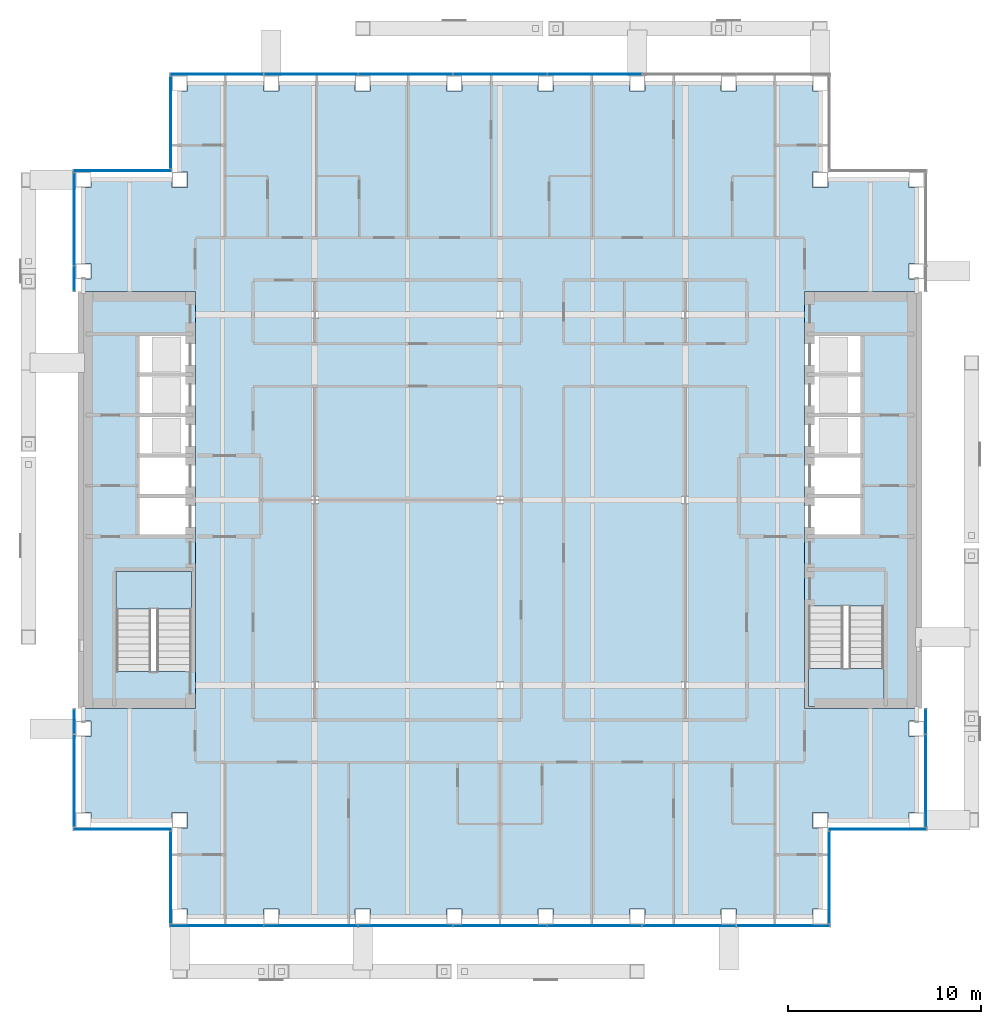
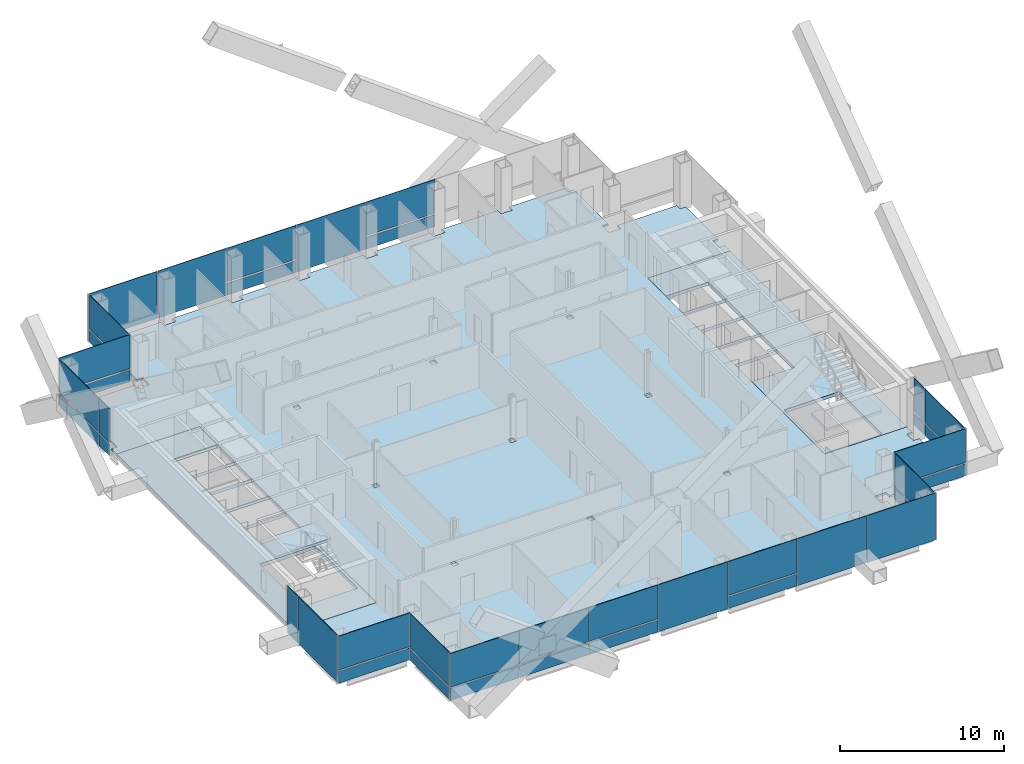
# One storey, part 11 of 18: 40 plates, 5 slabs, 13 elements without a shape of their own.
"""IFC4 building model written with IfcOpenShell, lengths in metres."""

from ifc_helpers import new_model, si_unit, direction, frame, origin, origin_2d, place, context, subcontext, project, spatial, polyline, rectangle, outline, extrude, material, layer, layer_set, type_object, element, aggregate, save


model = new_model("IFC4")

# Units and contexts
model_context = context("Model", 3, precision=1e-05, world=origin(), true_north=direction((0.0, 1.0)))
body_context = subcontext(model_context, "Body", "Model", "MODEL_VIEW")
ifc_project = project(units=[si_unit("LENGTHUNIT", "METRE"), si_unit("AREAUNIT", "SQUARE_METRE"), si_unit("VOLUMEUNIT", "CUBIC_METRE"), si_unit("PLANEANGLEUNIT", "RADIAN"), si_unit("MASSUNIT", "GRAM", prefix="KILO")], contexts=[model_context])

# Site, building, storey
site_placement = place(None, origin())
site = spatial("IfcSite", under=ifc_project, at=site_placement, CompositionType="ELEMENT")
building_placement = place(site_placement, origin())
building = spatial("IfcBuilding", under=site, at=building_placement, Name="Cobrizo Arcos Hotel Tower", CompositionType="ELEMENT")
storey_placement = place(building_placement, frame((0.0, 0.0, 165.5)))
storey = spatial("IfcBuildingStorey", under=building, at=storey_placement, Name="L42", CompositionType="ELEMENT", Elevation=165.5)

# Curtain wall, plates
ifc_material_1 = material(Name="Aluminium 6063-T6 anodised bronze", Category="aluminium")
curtain_wall_type = type_object("IfcCurtainWallType", Name="CW-A guest facade", PredefinedType="NOTDEFINED", material=ifc_material_1)
curtain_wall_1_placement = place(storey_placement, origin())
curtain_wall_1 = element("IfcCurtainWall", 1, at=curtain_wall_1_placement, inside=storey, type_object=curtain_wall_type, Name="CW-A L42 S face", PredefinedType="NOTDEFINED")
ifc_material_2 = material(Name="Glass clear laminated low-e", Category="glass")
ifc_layer_1 = layer(ifc_material_2, 0.0400390625)
ifc_layer_set_1 = layer_set([ifc_layer_1], Name="CW-A glass panel")
plate_type_1 = type_object("IfcPlateType", Name="CW-A glass panel", PredefinedType="CURTAIN_PANEL", material=ifc_layer_set_1)
plate_1_placement = place(storey_placement, frame((-14.68505859375, -22.074951171875, 0.990234375), z_axis=(0.0, 0.0, 1.0), x_axis=(1.0, 0.0, 0.0)))
plate_1 = element("IfcPlate", 2, at=plate_1_placement, type_object=plate_type_1, Name="CW-A glass panel 1486", PredefinedType="CURTAIN_PANEL", context=body_context, shape_type="SweptSolid", body=[
    extrude(rectangle(XDim=4.81005859375, YDim=0.0400390625, at=origin_2d()), origin(), (0.0, 0.0, 1.0), 2.510009765625),
])
plate_2_placement = place(storey_placement, frame((-9.800048828125, -22.074951171875, 0.990234375), z_axis=(0.0, 0.0, 1.0), x_axis=(1.0, 0.0, 0.0)))
plate_2 = element("IfcPlate", 3, at=plate_2_placement, type_object=plate_type_1, Name="CW-A glass panel 1487", PredefinedType="CURTAIN_PANEL", context=body_context, shape_type="SweptSolid", body=[
    extrude(rectangle(XDim=4.840087890625, YDim=0.0400390625, at=origin_2d()), origin(), (0.0, 0.0, 1.0), 2.510009765625),
])
plate_3_placement = place(storey_placement, frame((-4.89990234375, -22.074951171875, 0.990234375), z_axis=(0.0, 0.0, 1.0), x_axis=(1.0, 0.0, 0.0)))
plate_3 = element("IfcPlate", 4, at=plate_3_placement, type_object=plate_type_1, Name="CW-A glass panel 1488", PredefinedType="CURTAIN_PANEL", context=body_context, shape_type="SweptSolid", body=[
    extrude(rectangle(XDim=4.840087890625, YDim=0.0400390625, at=origin_2d()), origin(), (0.0, 0.0, 1.0), 2.510009765625),
])
plate_4_placement = place(storey_placement, frame((4.89990234375, -22.074951171875, 0.990234375), z_axis=(0.0, 0.0, 1.0), x_axis=(1.0, 0.0, 0.0)))
plate_4 = element("IfcPlate", 5, at=plate_4_placement, type_object=plate_type_1, Name="CW-A glass panel 1490", PredefinedType="CURTAIN_PANEL", context=body_context, shape_type="SweptSolid", body=[
    extrude(rectangle(XDim=4.840087890625, YDim=0.0400390625, at=origin_2d()), origin(), (0.0, 0.0, 1.0), 2.510009765625),
])

# Curtain wall, plate
curtain_wall_2_placement = place(storey_placement, origin())
curtain_wall_2 = element("IfcCurtainWall", 6, at=curtain_wall_2_placement, inside=storey, type_object=curtain_wall_type, Name="CW-A L42 E face", PredefinedType="NOTDEFINED")
plate_5_placement = place(storey_placement, frame((17.074951171875, -19.574951171875, 0.990234375), z_axis=(0.0, 0.0, 1.0), x_axis=(0.0, 1.0, 0.0)))
plate_5 = element("IfcPlate", 7, at=plate_5_placement, type_object=plate_type_1, Name="CW-A glass panel 1493", PredefinedType="CURTAIN_PANEL", context=body_context, shape_type="SweptSolid", body=[
    extrude(rectangle(XDim=4.72998046875, YDim=0.0400390625, at=origin_2d()), origin(), (0.0, 0.0, 1.0), 2.510009765625),
])

curtain_wall_3_placement = place(storey_placement, origin())
curtain_wall_3 = element("IfcCurtainWall", 8, at=curtain_wall_3_placement, inside=storey, type_object=curtain_wall_type, Name="CW-A L42 S face", PredefinedType="NOTDEFINED")
plate_6_placement = place(storey_placement, frame((19.574951171875, -17.074951171875, 0.990234375), z_axis=(0.0, 0.0, 1.0), x_axis=(1.0, 0.0, 0.0)))
plate_6 = element("IfcPlate", 9, at=plate_6_placement, type_object=plate_type_1, Name="CW-A glass panel 1494", PredefinedType="CURTAIN_PANEL", context=body_context, shape_type="SweptSolid", body=[
    extrude(rectangle(XDim=5.030029296875, YDim=0.0400390625, at=origin_2d()), origin(), (0.0, 0.0, 1.0), 2.510009765625),
])

# Curtain wall, plates
curtain_wall_4_placement = place(storey_placement, origin())
curtain_wall_4 = element("IfcCurtainWall", 10, at=curtain_wall_4_placement, inside=storey, type_object=curtain_wall_type, Name="CW-A L42 E face", PredefinedType="NOTDEFINED")
plate_7_placement = place(storey_placement, frame((22.074951171875, -14.556396484375, 0.990234375), z_axis=(0.0, 0.0, 1.0), x_axis=(0.0, 1.0, 0.0)))
plate_7 = element("IfcPlate", 11, at=plate_7_placement, type_object=plate_type_1, Name="CW-A glass panel 1495", PredefinedType="CURTAIN_PANEL", context=body_context, shape_type="SweptSolid", body=[
    extrude(rectangle(XDim=4.76708984375, YDim=0.0400390625, at=origin_2d()), origin(), (0.0, 0.0, 1.0), 2.510009765625),
])
plate_8_placement = place(storey_placement, frame((22.074951171875, -11.486328125, 0.990234375), z_axis=(0.0, 0.0, 1.0), x_axis=(0.0, 1.0, 0.0)))
plate_8 = element("IfcPlate", 12, at=plate_8_placement, type_object=plate_type_1, Name="CW-A glass panel 1496", PredefinedType="CURTAIN_PANEL", context=body_context, shape_type="SweptSolid", body=[
    extrude(rectangle(XDim=1.2529296875, YDim=0.0400390625, at=origin_2d()), origin(), (0.0, 0.0, 1.0), 2.510009765625),
])

curtain_wall_5_placement = place(storey_placement, origin())
curtain_wall_5 = element("IfcCurtainWall", 13, at=curtain_wall_5_placement, inside=storey, type_object=curtain_wall_type, Name="CW-A L42 N face", PredefinedType="NOTDEFINED")
plate_9_placement = place(storey_placement, frame((4.89990234375, 22.074951171875, 0.990234375), z_axis=(0.0, 0.0, 1.0), x_axis=(-1.0, 0.0, 0.0)))
plate_9 = element("IfcPlate", 14, at=plate_9_placement, type_object=plate_type_1, Name="CW-A glass panel 1503", PredefinedType="CURTAIN_PANEL", context=body_context, shape_type="SweptSolid", body=[
    extrude(rectangle(XDim=4.840087890625, YDim=0.0400390625, at=origin_2d()), origin(), (0.0, 0.0, 1.0), 2.510009765625),
])
plate_10_placement = place(storey_placement, frame((-4.89990234375, 22.074951171875, 0.990234375), z_axis=(0.0, 0.0, 1.0), x_axis=(-1.0, 0.0, 0.0)))
plate_10 = element("IfcPlate", 15, at=plate_10_placement, type_object=plate_type_1, Name="CW-A glass panel 1505", PredefinedType="CURTAIN_PANEL", context=body_context, shape_type="SweptSolid", body=[
    extrude(rectangle(XDim=4.840087890625, YDim=0.0400390625, at=origin_2d()), origin(), (0.0, 0.0, 1.0), 2.510009765625),
])

# Curtain wall, plate
curtain_wall_6_placement = place(storey_placement, origin())
curtain_wall_6 = element("IfcCurtainWall", 16, at=curtain_wall_6_placement, inside=storey, type_object=curtain_wall_type, Name="CW-A L42 W face", PredefinedType="NOTDEFINED")
plate_11_placement = place(storey_placement, frame((-17.074951171875, 19.574951171875, 0.990234375), z_axis=(0.0, 0.0, 1.0), x_axis=(0.0, -1.0, 0.0)))
plate_11 = element("IfcPlate", 17, at=plate_11_placement, type_object=plate_type_1, Name="CW-A glass panel 1508", PredefinedType="CURTAIN_PANEL", context=body_context, shape_type="SweptSolid", body=[
    extrude(rectangle(XDim=4.72998046875, YDim=0.0400390625, at=origin_2d()), origin(), (0.0, 0.0, 1.0), 2.510009765625),
])

curtain_wall_7_placement = place(storey_placement, origin())
curtain_wall_7 = element("IfcCurtainWall", 18, at=curtain_wall_7_placement, inside=storey, type_object=curtain_wall_type, Name="CW-A L42 N face", PredefinedType="NOTDEFINED")
plate_12_placement = place(storey_placement, frame((-19.574951171875, 17.074951171875, 0.990234375), z_axis=(0.0, 0.0, 1.0), x_axis=(-1.0, 0.0, 0.0)))
plate_12 = element("IfcPlate", 19, at=plate_12_placement, type_object=plate_type_1, Name="CW-A glass panel 1509", PredefinedType="CURTAIN_PANEL", context=body_context, shape_type="SweptSolid", body=[
    extrude(rectangle(XDim=5.030029296875, YDim=0.0400390625, at=origin_2d()), origin(), (0.0, 0.0, 1.0), 2.510009765625),
])

# Curtain wall, plates
curtain_wall_8_placement = place(storey_placement, origin())
curtain_wall_8 = element("IfcCurtainWall", 20, at=curtain_wall_8_placement, inside=storey, type_object=curtain_wall_type, Name="CW-A L42 W face", PredefinedType="NOTDEFINED")
plate_13_placement = place(storey_placement, frame((-22.074951171875, 14.556396484375, 0.990234375), z_axis=(0.0, 0.0, 1.0), x_axis=(0.0, -1.0, 0.0)))
plate_13 = element("IfcPlate", 21, at=plate_13_placement, type_object=plate_type_1, Name="CW-A glass panel 1510", PredefinedType="CURTAIN_PANEL", context=body_context, shape_type="SweptSolid", body=[
    extrude(rectangle(XDim=4.76708984375, YDim=0.0400390625, at=origin_2d()), origin(), (0.0, 0.0, 1.0), 2.510009765625),
])
plate_14_placement = place(storey_placement, frame((-22.074951171875, 11.486328125, 0.990234375), z_axis=(0.0, 0.0, 1.0), x_axis=(0.0, -1.0, 0.0)))
plate_14 = element("IfcPlate", 22, at=plate_14_placement, type_object=plate_type_1, Name="CW-A glass panel 1511", PredefinedType="CURTAIN_PANEL", context=body_context, shape_type="SweptSolid", body=[
    extrude(rectangle(XDim=1.2529296875, YDim=0.0400390625, at=origin_2d()), origin(), (0.0, 0.0, 1.0), 2.510009765625),
])

# Curtain wall, plate
curtain_wall_9_placement = place(storey_placement, origin())
curtain_wall_9 = element("IfcCurtainWall", 23, at=curtain_wall_9_placement, inside=storey, type_object=curtain_wall_type, Name="CW-A L42 S face", PredefinedType="NOTDEFINED")
plate_15_placement = place(storey_placement, frame((-19.574951171875, -17.074951171875, 0.990234375), z_axis=(0.0, 0.0, 1.0), x_axis=(1.0, 0.0, 0.0)))
plate_15 = element("IfcPlate", 24, at=plate_15_placement, type_object=plate_type_1, Name="CW-A glass panel 1514", PredefinedType="CURTAIN_PANEL", context=body_context, shape_type="SweptSolid", body=[
    extrude(rectangle(XDim=5.030029296875, YDim=0.0400390625, at=origin_2d()), origin(), (0.0, 0.0, 1.0), 2.510009765625),
])

curtain_wall_10_placement = place(storey_placement, origin())
curtain_wall_10 = element("IfcCurtainWall", 25, at=curtain_wall_10_placement, inside=storey, type_object=curtain_wall_type, Name="CW-A L42 W face", PredefinedType="NOTDEFINED")
plate_16_placement = place(storey_placement, frame((-17.074951171875, -19.574951171875, 0.990234375), z_axis=(0.0, 0.0, 1.0), x_axis=(0.0, -1.0, 0.0)))
plate_16 = element("IfcPlate", 26, at=plate_16_placement, type_object=plate_type_1, Name="CW-A glass panel 1515", PredefinedType="CURTAIN_PANEL", context=body_context, shape_type="SweptSolid", body=[
    extrude(rectangle(XDim=4.72998046875, YDim=0.0400390625, at=origin_2d()), origin(), (0.0, 0.0, 1.0), 2.510009765625),
])

# Plate
ifc_material_3 = material(Name="Aluminium composite panel pale metal", Category="aluminium")
ifc_layer_2 = layer(ifc_material_3, 0.0400390625)
ifc_layer_set_2 = layer_set([ifc_layer_2], Name="CW-A spandrel panel")
plate_type_2 = type_object("IfcPlateType", Name="CW-A spandrel panel", PredefinedType="CURTAIN_PANEL", material=ifc_layer_set_2)
plate_17_placement = place(storey_placement, frame((-14.68505859375, -22.074951171875, 0.0), z_axis=(0.0, 0.0, 1.0), x_axis=(1.0, 0.0, 0.0)))
plate_17 = element("IfcPlate", 27, at=plate_17_placement, type_object=plate_type_2, Name="CW-A spandrel panel 1486", PredefinedType="CURTAIN_PANEL", context=body_context, shape_type="SweptSolid", body=[
    extrude(rectangle(XDim=4.81005859375, YDim=0.0400390625, at=origin_2d()), origin(), (0.0, 0.0, 1.0), 0.8701171875),
])

plate_18_placement = place(storey_placement, frame((-9.800048828125, -22.074951171875, 0.0), z_axis=(0.0, 0.0, 1.0), x_axis=(1.0, 0.0, 0.0)))
plate_18 = element("IfcPlate", 28, at=plate_18_placement, type_object=plate_type_2, Name="CW-A spandrel panel 1487", PredefinedType="CURTAIN_PANEL", context=body_context, shape_type="SweptSolid", body=[
    extrude(rectangle(XDim=4.840087890625, YDim=0.0400390625, at=origin_2d()), origin(), (0.0, 0.0, 1.0), 0.8701171875),
])

plate_19_placement = place(storey_placement, frame((-4.89990234375, -22.074951171875, 0.0), z_axis=(0.0, 0.0, 1.0), x_axis=(1.0, 0.0, 0.0)))
plate_19 = element("IfcPlate", 29, at=plate_19_placement, type_object=plate_type_2, Name="CW-A spandrel panel 1488", PredefinedType="CURTAIN_PANEL", context=body_context, shape_type="SweptSolid", body=[
    extrude(rectangle(XDim=4.840087890625, YDim=0.0400390625, at=origin_2d()), origin(), (0.0, 0.0, 1.0), 0.8701171875),
])

plate_20_placement = place(storey_placement, frame((0.0, -22.074951171875, 0.0), z_axis=(0.0, 0.0, 1.0), x_axis=(1.0, 0.0, 0.0)))
plate_20 = element("IfcPlate", 30, at=plate_20_placement, type_object=plate_type_2, Name="CW-A spandrel panel 1489", PredefinedType="CURTAIN_PANEL", context=body_context, shape_type="SweptSolid", body=[
    extrude(rectangle(XDim=4.840087890625, YDim=0.0400390625, at=origin_2d()), origin(), (0.0, 0.0, 1.0), 3.5),
])

plate_21_placement = place(storey_placement, frame((4.89990234375, -22.074951171875, 0.0), z_axis=(0.0, 0.0, 1.0), x_axis=(1.0, 0.0, 0.0)))
plate_21 = element("IfcPlate", 31, at=plate_21_placement, type_object=plate_type_2, Name="CW-A spandrel panel 1490", PredefinedType="CURTAIN_PANEL", context=body_context, shape_type="SweptSolid", body=[
    extrude(rectangle(XDim=4.840087890625, YDim=0.0400390625, at=origin_2d()), origin(), (0.0, 0.0, 1.0), 0.8701171875),
])

plate_22_placement = place(storey_placement, frame((9.800048828125, -22.074951171875, 0.0), z_axis=(0.0, 0.0, 1.0), x_axis=(1.0, 0.0, 0.0)))
plate_22 = element("IfcPlate", 32, at=plate_22_placement, type_object=plate_type_2, Name="CW-A spandrel panel 1491", PredefinedType="CURTAIN_PANEL", context=body_context, shape_type="SweptSolid", body=[
    extrude(rectangle(XDim=4.840087890625, YDim=0.0400390625, at=origin_2d()), origin(), (0.0, 0.0, 1.0), 3.5),
])

plate_23_placement = place(storey_placement, frame((14.68505859375, -22.074951171875, 0.0), z_axis=(0.0, 0.0, 1.0), x_axis=(1.0, 0.0, 0.0)))
plate_23 = element("IfcPlate", 33, at=plate_23_placement, type_object=plate_type_2, Name="CW-A spandrel panel 1492", PredefinedType="CURTAIN_PANEL", context=body_context, shape_type="SweptSolid", body=[
    extrude(rectangle(XDim=4.81005859375, YDim=0.0400390625, at=origin_2d()), origin(), (0.0, 0.0, 1.0), 3.5),
])

aggregate(curtain_wall_1, [plate_17, plate_1, plate_18, plate_2, plate_19, plate_3, plate_20, plate_21, plate_4, plate_22, plate_23])

plate_24_placement = place(storey_placement, frame((17.074951171875, -19.574951171875, 0.0), z_axis=(0.0, 0.0, 1.0), x_axis=(0.0, 1.0, 0.0)))
plate_24 = element("IfcPlate", 34, at=plate_24_placement, type_object=plate_type_2, Name="CW-A spandrel panel 1493", PredefinedType="CURTAIN_PANEL", context=body_context, shape_type="SweptSolid", body=[
    extrude(rectangle(XDim=4.72998046875, YDim=0.0400390625, at=origin_2d()), origin(), (0.0, 0.0, 1.0), 0.8701171875),
])

aggregate(curtain_wall_2, [plate_24, plate_5])

plate_25_placement = place(storey_placement, frame((19.574951171875, -17.074951171875, 0.0), z_axis=(0.0, 0.0, 1.0), x_axis=(1.0, 0.0, 0.0)))
plate_25 = element("IfcPlate", 35, at=plate_25_placement, type_object=plate_type_2, Name="CW-A spandrel panel 1494", PredefinedType="CURTAIN_PANEL", context=body_context, shape_type="SweptSolid", body=[
    extrude(rectangle(XDim=5.030029296875, YDim=0.0400390625, at=origin_2d()), origin(), (0.0, 0.0, 1.0), 0.8701171875),
])

aggregate(curtain_wall_3, [plate_25, plate_6])

plate_26_placement = place(storey_placement, frame((22.074951171875, -14.556396484375, 0.0), z_axis=(0.0, 0.0, 1.0), x_axis=(0.0, 1.0, 0.0)))
plate_26 = element("IfcPlate", 36, at=plate_26_placement, type_object=plate_type_2, Name="CW-A spandrel panel 1495", PredefinedType="CURTAIN_PANEL", context=body_context, shape_type="SweptSolid", body=[
    extrude(rectangle(XDim=4.76708984375, YDim=0.0400390625, at=origin_2d()), origin(), (0.0, 0.0, 1.0), 0.8701171875),
])

plate_27_placement = place(storey_placement, frame((22.074951171875, -11.486328125, 0.0), z_axis=(0.0, 0.0, 1.0), x_axis=(0.0, 1.0, 0.0)))
plate_27 = element("IfcPlate", 37, at=plate_27_placement, type_object=plate_type_2, Name="CW-A spandrel panel 1496", PredefinedType="CURTAIN_PANEL", context=body_context, shape_type="SweptSolid", body=[
    extrude(rectangle(XDim=1.2529296875, YDim=0.0400390625, at=origin_2d()), origin(), (0.0, 0.0, 1.0), 0.8701171875),
])

aggregate(curtain_wall_4, [plate_26, plate_7, plate_27, plate_8])

plate_28_placement = place(storey_placement, frame((4.89990234375, 22.074951171875, 0.0), z_axis=(0.0, 0.0, 1.0), x_axis=(-1.0, 0.0, 0.0)))
plate_28 = element("IfcPlate", 38, at=plate_28_placement, type_object=plate_type_2, Name="CW-A spandrel panel 1503", PredefinedType="CURTAIN_PANEL", context=body_context, shape_type="SweptSolid", body=[
    extrude(rectangle(XDim=4.840087890625, YDim=0.0400390625, at=origin_2d()), origin(), (0.0, 0.0, 1.0), 0.8701171875),
])

plate_29_placement = place(storey_placement, frame((0.0, 22.074951171875, 0.0), z_axis=(0.0, 0.0, 1.0), x_axis=(-1.0, 0.0, 0.0)))
plate_29 = element("IfcPlate", 39, at=plate_29_placement, type_object=plate_type_2, Name="CW-A spandrel panel 1504", PredefinedType="CURTAIN_PANEL", context=body_context, shape_type="SweptSolid", body=[
    extrude(rectangle(XDim=4.840087890625, YDim=0.0400390625, at=origin_2d()), origin(), (0.0, 0.0, 1.0), 3.5),
])

plate_30_placement = place(storey_placement, frame((-4.89990234375, 22.074951171875, 0.0), z_axis=(0.0, 0.0, 1.0), x_axis=(-1.0, 0.0, 0.0)))
plate_30 = element("IfcPlate", 40, at=plate_30_placement, type_object=plate_type_2, Name="CW-A spandrel panel 1505", PredefinedType="CURTAIN_PANEL", context=body_context, shape_type="SweptSolid", body=[
    extrude(rectangle(XDim=4.840087890625, YDim=0.0400390625, at=origin_2d()), origin(), (0.0, 0.0, 1.0), 0.8701171875),
])

plate_31_placement = place(storey_placement, frame((-9.800048828125, 22.074951171875, 0.0), z_axis=(0.0, 0.0, 1.0), x_axis=(-1.0, 0.0, 0.0)))
plate_31 = element("IfcPlate", 41, at=plate_31_placement, type_object=plate_type_2, Name="CW-A spandrel panel 1506", PredefinedType="CURTAIN_PANEL", context=body_context, shape_type="SweptSolid", body=[
    extrude(rectangle(XDim=4.840087890625, YDim=0.0400390625, at=origin_2d()), origin(), (0.0, 0.0, 1.0), 3.5),
])

plate_32_placement = place(storey_placement, frame((-14.68505859375, 22.074951171875, 0.0), z_axis=(0.0, 0.0, 1.0), x_axis=(-1.0, 0.0, 0.0)))
plate_32 = element("IfcPlate", 42, at=plate_32_placement, type_object=plate_type_2, Name="CW-A spandrel panel 1507", PredefinedType="CURTAIN_PANEL", context=body_context, shape_type="SweptSolid", body=[
    extrude(rectangle(XDim=4.81005859375, YDim=0.0400390625, at=origin_2d()), origin(), (0.0, 0.0, 1.0), 3.5),
])

aggregate(curtain_wall_5, [plate_28, plate_9, plate_29, plate_30, plate_10, plate_31, plate_32])

plate_33_placement = place(storey_placement, frame((-17.074951171875, 19.574951171875, 0.0), z_axis=(0.0, 0.0, 1.0), x_axis=(0.0, -1.0, 0.0)))
plate_33 = element("IfcPlate", 43, at=plate_33_placement, type_object=plate_type_2, Name="CW-A spandrel panel 1508", PredefinedType="CURTAIN_PANEL", context=body_context, shape_type="SweptSolid", body=[
    extrude(rectangle(XDim=4.72998046875, YDim=0.0400390625, at=origin_2d()), origin(), (0.0, 0.0, 1.0), 0.8701171875),
])

aggregate(curtain_wall_6, [plate_33, plate_11])

plate_34_placement = place(storey_placement, frame((-19.574951171875, 17.074951171875, 0.0), z_axis=(0.0, 0.0, 1.0), x_axis=(-1.0, 0.0, 0.0)))
plate_34 = element("IfcPlate", 44, at=plate_34_placement, type_object=plate_type_2, Name="CW-A spandrel panel 1509", PredefinedType="CURTAIN_PANEL", context=body_context, shape_type="SweptSolid", body=[
    extrude(rectangle(XDim=5.030029296875, YDim=0.0400390625, at=origin_2d()), origin(), (0.0, 0.0, 1.0), 0.8701171875),
])

aggregate(curtain_wall_7, [plate_34, plate_12])

plate_35_placement = place(storey_placement, frame((-22.074951171875, 14.556396484375, 0.0), z_axis=(0.0, 0.0, 1.0), x_axis=(0.0, -1.0, 0.0)))
plate_35 = element("IfcPlate", 45, at=plate_35_placement, type_object=plate_type_2, Name="CW-A spandrel panel 1510", PredefinedType="CURTAIN_PANEL", context=body_context, shape_type="SweptSolid", body=[
    extrude(rectangle(XDim=4.76708984375, YDim=0.0400390625, at=origin_2d()), origin(), (0.0, 0.0, 1.0), 0.8701171875),
])

plate_36_placement = place(storey_placement, frame((-22.074951171875, 11.486328125, 0.0), z_axis=(0.0, 0.0, 1.0), x_axis=(0.0, -1.0, 0.0)))
plate_36 = element("IfcPlate", 46, at=plate_36_placement, type_object=plate_type_2, Name="CW-A spandrel panel 1511", PredefinedType="CURTAIN_PANEL", context=body_context, shape_type="SweptSolid", body=[
    extrude(rectangle(XDim=1.2529296875, YDim=0.0400390625, at=origin_2d()), origin(), (0.0, 0.0, 1.0), 0.8701171875),
])

aggregate(curtain_wall_8, [plate_35, plate_13, plate_36, plate_14])

# Curtain wall, plates
curtain_wall_11_placement = place(storey_placement, origin())
curtain_wall_11 = element("IfcCurtainWall", 47, at=curtain_wall_11_placement, inside=storey, type_object=curtain_wall_type, Name="CW-A L42 W face", PredefinedType="NOTDEFINED")
plate_37_placement = place(storey_placement, frame((-22.074951171875, -11.486328125, 0.0), z_axis=(0.0, 0.0, 1.0), x_axis=(0.0, -1.0, 0.0)))
plate_37 = element("IfcPlate", 48, at=plate_37_placement, type_object=plate_type_2, Name="CW-A spandrel panel 1512", PredefinedType="CURTAIN_PANEL", context=body_context, shape_type="SweptSolid", body=[
    extrude(rectangle(XDim=1.2529296875, YDim=0.0400390625, at=origin_2d()), origin(), (0.0, 0.0, 1.0), 3.5),
])
plate_38_placement = place(storey_placement, frame((-22.074951171875, -14.556396484375, 0.0), z_axis=(0.0, 0.0, 1.0), x_axis=(0.0, -1.0, 0.0)))
plate_38 = element("IfcPlate", 49, at=plate_38_placement, type_object=plate_type_2, Name="CW-A spandrel panel 1513", PredefinedType="CURTAIN_PANEL", context=body_context, shape_type="SweptSolid", body=[
    extrude(rectangle(XDim=4.76708984375, YDim=0.0400390625, at=origin_2d()), origin(), (0.0, 0.0, 1.0), 3.5),
])
aggregate(curtain_wall_11, [plate_37, plate_38])

# Plate
plate_39_placement = place(storey_placement, frame((-19.574951171875, -17.074951171875, 0.0), z_axis=(0.0, 0.0, 1.0), x_axis=(1.0, 0.0, 0.0)))
plate_39 = element("IfcPlate", 50, at=plate_39_placement, type_object=plate_type_2, Name="CW-A spandrel panel 1514", PredefinedType="CURTAIN_PANEL", context=body_context, shape_type="SweptSolid", body=[
    extrude(rectangle(XDim=5.030029296875, YDim=0.0400390625, at=origin_2d()), origin(), (0.0, 0.0, 1.0), 0.8701171875),
])

aggregate(curtain_wall_9, [plate_39, plate_15])

plate_40_placement = place(storey_placement, frame((-17.074951171875, -19.574951171875, 0.0), z_axis=(0.0, 0.0, 1.0), x_axis=(0.0, -1.0, 0.0)))
plate_40 = element("IfcPlate", 51, at=plate_40_placement, type_object=plate_type_2, Name="CW-A spandrel panel 1515", PredefinedType="CURTAIN_PANEL", context=body_context, shape_type="SweptSolid", body=[
    extrude(rectangle(XDim=4.72998046875, YDim=0.0400390625, at=origin_2d()), origin(), (0.0, 0.0, 1.0), 0.8701171875),
])

aggregate(curtain_wall_10, [plate_40, plate_16])

# Slabs
ifc_material_4 = material(Name="Concrete f'c 35 MPa", Category="concrete")
ifc_layer_3 = layer(ifc_material_4, 0.14990234375)
ifc_layer_set_3 = layer_set([ifc_layer_3], Name="Composite floor slab 150 f'c 35")
slab_type_1 = type_object("IfcSlabType", Name="Composite floor slab 150 f'c 35", PredefinedType="FLOOR", material=ifc_layer_set_3)
slab_1_placement = place(storey_placement, frame((0.0, 0.0, -0.14990234375)))
element("IfcSlab", 52, at=slab_1_placement, inside=storey, type_object=slab_type_1, Name="Floor slab S5, L42, no. 01", PredefinedType="FLOOR", context=body_context, shape_type="SweptSolid", body=[
    extrude(outline(polyline([(-16.199951171875, -21.60009765625), (-16.199951171875, -21.199951171875), (-16.60009765625, -21.199951171875), (-16.60009765625, -17.0), (-16.199951171875, -17.0), (-16.199951171875, -16.199951171875), (-17.0, -16.199951171875), (-17.0, -16.60009765625), (-21.199951171875, -16.60009765625), (-21.199951171875, -16.199951171875), (-21.60009765625, -16.199951171875), (-21.60009765625, -12.257080078125), (-21.199951171875, -12.257080078125), (-21.199951171875, -11.45703125), (-21.60009765625, -11.45703125), (-21.60009765625, -10.800048828125), (-15.800048828125, -10.800048828125), (-15.800048828125, 10.800048828125), (-21.60009765625, 10.800048828125), (-21.60009765625, 11.45703125), (-21.199951171875, 11.45703125), (-21.199951171875, 12.257080078125), (-21.60009765625, 12.257080078125), (-21.60009765625, 16.199951171875), (-21.199951171875, 16.199951171875), (-21.199951171875, 16.60009765625), (-17.0, 16.60009765625), (-17.0, 16.199951171875), (-16.199951171875, 16.199951171875), (-16.199951171875, 17.0), (-16.60009765625, 17.0), (-16.60009765625, 21.199951171875), (-16.199951171875, 21.199951171875), (-16.199951171875, 21.60009765625), (-12.257080078125, 21.60009765625), (-12.257080078125, 21.199951171875), (-11.45703125, 21.199951171875), (-11.45703125, 21.60009765625), (-7.513916015625, 21.60009765625), (-7.513916015625, 21.199951171875), (-6.714111328125, 21.199951171875), (-6.714111328125, 21.60009765625), (-2.77099609375, 21.60009765625), (-2.77099609375, 21.199951171875), (-1.970947265625, 21.199951171875), (-1.970947265625, 21.60009765625), (1.970947265625, 21.60009765625), (1.970947265625, 21.199951171875), (2.77099609375, 21.199951171875), (2.77099609375, 21.60009765625), (6.714111328125, 21.60009765625), (6.714111328125, 21.199951171875), (7.513916015625, 21.199951171875), (7.513916015625, 21.60009765625), (11.45703125, 21.60009765625), (11.45703125, 21.199951171875), (12.257080078125, 21.199951171875), (12.257080078125, 21.60009765625), (16.199951171875, 21.60009765625), (16.199951171875, 21.199951171875), (16.60009765625, 21.199951171875), (16.60009765625, 17.0), (16.199951171875, 17.0), (16.199951171875, 16.199951171875), (17.0, 16.199951171875), (17.0, 16.60009765625), (21.199951171875, 16.60009765625), (21.199951171875, 16.199951171875), (21.60009765625, 16.199951171875), (21.60009765625, 12.257080078125), (21.199951171875, 12.257080078125), (21.199951171875, 11.45703125), (21.60009765625, 11.45703125), (21.60009765625, 10.800048828125), (15.800048828125, 10.800048828125), (15.800048828125, -10.800048828125), (21.60009765625, -10.800048828125), (21.60009765625, -11.45703125), (21.199951171875, -11.45703125), (21.199951171875, -12.257080078125), (21.60009765625, -12.257080078125), (21.60009765625, -16.199951171875), (21.199951171875, -16.199951171875), (21.199951171875, -16.60009765625), (17.0, -16.60009765625), (17.0, -16.199951171875), (16.199951171875, -16.199951171875), (16.199951171875, -17.0), (16.60009765625, -17.0), (16.60009765625, -21.199951171875), (16.199951171875, -21.199951171875), (16.199951171875, -21.60009765625), (12.257080078125, -21.60009765625), (12.257080078125, -21.199951171875), (11.45703125, -21.199951171875), (11.45703125, -21.60009765625), (7.513916015625, -21.60009765625), (7.513916015625, -21.199951171875), (6.714111328125, -21.199951171875), (6.714111328125, -21.60009765625), (2.77099609375, -21.60009765625), (2.77099609375, -21.199951171875), (1.970947265625, -21.199951171875), (1.970947265625, -21.60009765625), (-1.970947265625, -21.60009765625), (-1.970947265625, -21.199951171875), (-2.77099609375, -21.199951171875), (-2.77099609375, -21.60009765625), (-6.714111328125, -21.60009765625), (-6.714111328125, -21.199951171875), (-7.513916015625, -21.199951171875), (-7.513916015625, -21.60009765625), (-11.45703125, -21.60009765625), (-11.45703125, -21.199951171875), (-12.257080078125, -21.199951171875), (-12.257080078125, -21.60009765625), (-16.199951171875, -21.60009765625)]), holes=[polyline([(-0.186767578125, -9.78662109375), (0.186767578125, -9.78662109375), (0.186767578125, -9.413330078125), (-0.186767578125, -9.413330078125), (-0.186767578125, -9.78662109375)]), polyline([(-9.78662109375, -9.78662109375), (-9.413330078125, -9.78662109375), (-9.413330078125, -9.413330078125), (-9.78662109375, -9.413330078125), (-9.78662109375, -9.78662109375)]), polyline([(-9.413330078125, -0.186767578125), (-9.413330078125, 0.186767578125), (-9.78662109375, 0.186767578125), (-9.78662109375, -0.186767578125), (-9.413330078125, -0.186767578125)]), polyline([(0.186767578125, -0.186767578125), (0.186767578125, 0.186767578125), (-0.186767578125, 0.186767578125), (-0.186767578125, -0.186767578125), (0.186767578125, -0.186767578125)]), polyline([(-9.78662109375, 9.413330078125), (-9.413330078125, 9.413330078125), (-9.413330078125, 9.78662109375), (-9.78662109375, 9.78662109375), (-9.78662109375, 9.413330078125)]), polyline([(9.413330078125, -9.78662109375), (9.78662109375, -9.78662109375), (9.78662109375, -9.413330078125), (9.413330078125, -9.413330078125), (9.413330078125, -9.78662109375)]), polyline([(9.413330078125, -0.186767578125), (9.78662109375, -0.186767578125), (9.78662109375, 0.186767578125), (9.413330078125, 0.186767578125), (9.413330078125, -0.186767578125)]), polyline([(9.78662109375, 9.413330078125), (9.78662109375, 9.78662109375), (9.413330078125, 9.78662109375), (9.413330078125, 9.413330078125), (9.78662109375, 9.413330078125)]), polyline([(0.186767578125, 9.413330078125), (0.186767578125, 9.78662109375), (-0.186767578125, 9.78662109375), (-0.186767578125, 9.413330078125), (0.186767578125, 9.413330078125)])]), origin(), (0.0, 0.0, 1.0), 0.14990234375),
])
ifc_material_5 = material(Name="Concrete f'c 50 MPa", Category="concrete")
ifc_layer_4 = layer(ifc_material_5, 0.25)
ifc_layer_set_4 = layer_set([ifc_layer_4], Name="RC core floor slab 250 f'c 50")
slab_type_2 = type_object("IfcSlabType", Name="RC core floor slab 250 f'c 50", PredefinedType="FLOOR", material=ifc_layer_set_4)
slab_2_placement = place(storey_placement, frame((0.0, 0.0, -0.25)))
element("IfcSlab", 53, at=slab_2_placement, inside=storey, type_object=slab_type_2, Name="Core floor slab CS5, east core, L42", PredefinedType="FLOOR", context=body_context, shape_type="SweptSolid", body=[
    extrude(outline(polyline([(15.800048828125, 10.800048828125), (21.60009765625, 10.800048828125), (21.60009765625, -10.800048828125), (15.800048828125, -10.800048828125), (15.800048828125, 10.800048828125)]), holes=[polyline([(19.89794921875, -10.697998046875), (19.89794921875, -5.501953125), (16.001953125, -5.501953125), (16.001953125, -10.697998046875), (19.89794921875, -10.697998046875)]), polyline([(15.802001953125, 0.197998046875), (15.802001953125, -1.89794921875), (18.798095703125, -1.89794921875), (18.798095703125, 0.197998046875), (15.802001953125, 0.197998046875)]), polyline([(15.802001953125, 2.298095703125), (15.802001953125, 0.201904296875), (18.798095703125, 0.201904296875), (18.798095703125, 2.298095703125), (15.802001953125, 2.298095703125)]), polyline([(15.802001953125, 4.39794921875), (15.802001953125, 2.302001953125), (18.798095703125, 2.302001953125), (18.798095703125, 4.39794921875), (15.802001953125, 4.39794921875)]), polyline([(18.798095703125, 6.498046875), (15.802001953125, 6.498046875), (15.802001953125, 4.402099609375), (18.798095703125, 4.402099609375), (18.798095703125, 6.498046875)]), polyline([(18.798095703125, 8.597900390625), (15.802001953125, 8.597900390625), (15.802001953125, 6.501953125), (18.798095703125, 6.501953125), (18.798095703125, 8.597900390625)])]), origin(), (0.0, 0.0, 1.0), 0.25),
])
slab_3_placement = place(storey_placement, frame((0.0, 0.0, -0.25)))
element("IfcSlab", 54, at=slab_3_placement, inside=storey, type_object=slab_type_2, Name="Core floor slab CS5, west core, L42", PredefinedType="FLOOR", context=body_context, shape_type="SweptSolid", body=[
    extrude(outline(polyline([(-21.60009765625, 10.800048828125), (-15.800048828125, 10.800048828125), (-15.800048828125, -10.800048828125), (-21.60009765625, -10.800048828125), (-21.60009765625, 10.800048828125)]), holes=[polyline([(-19.89794921875, -3.701904296875), (-19.89794921875, -8.89794921875), (-16.001953125, -8.89794921875), (-16.001953125, -3.701904296875), (-19.89794921875, -3.701904296875)]), polyline([(-18.798095703125, 0.197998046875), (-18.798095703125, -1.89794921875), (-15.802001953125, -1.89794921875), (-15.802001953125, 0.197998046875), (-18.798095703125, 0.197998046875)]), polyline([(-18.798095703125, 2.298095703125), (-18.798095703125, 0.201904296875), (-15.802001953125, 0.201904296875), (-15.802001953125, 2.298095703125), (-18.798095703125, 2.298095703125)]), polyline([(-18.798095703125, 4.39794921875), (-18.798095703125, 2.302001953125), (-15.802001953125, 2.302001953125), (-15.802001953125, 4.39794921875), (-18.798095703125, 4.39794921875)]), polyline([(-15.802001953125, 6.498046875), (-18.798095703125, 6.498046875), (-18.798095703125, 4.402099609375), (-15.802001953125, 4.402099609375), (-15.802001953125, 6.498046875)]), polyline([(-15.802001953125, 8.597900390625), (-18.798095703125, 8.597900390625), (-18.798095703125, 6.501953125), (-15.802001953125, 6.501953125), (-15.802001953125, 8.597900390625)])]), origin(), (0.0, 0.0, 1.0), 0.25),
])

# Stair, slab
ifc_material_6 = material(Name="Concrete f'c 40 MPa", Category="concrete")
stair_type = type_object("IfcStairType", Name="Exit stair", PredefinedType="HALF_TURN_STAIR", material=ifc_material_6)
stair_1_placement = place(storey_placement, origin())
stair_1 = element("IfcStair", 55, at=stair_1_placement, inside=storey, type_object=stair_type, Name="L42 Exit stair ST-W", PredefinedType="HALF_TURN_STAIR")
ifc_layer_5 = layer(ifc_material_6, 0.199951171875)
ifc_layer_set_5 = layer_set([ifc_layer_5], Name="Stair landing")
slab_type_3 = type_object("IfcSlabType", Name="Stair landing", PredefinedType="LANDING", material=ifc_layer_set_5)
slab_4_placement = place(storey_placement, frame((0.0, 0.0, 1.550048828125)))
slab_4 = element("IfcSlab", 56, at=slab_4_placement, type_object=slab_type_3, Name="ST-W landing 1", PredefinedType="LANDING", context=body_context, shape_type="SweptSolid", body=[
    extrude(outline(polyline([(-16.0, -5.659912109375), (-16.0, -3.699951171875), (-19.89990234375, -3.699951171875), (-19.89990234375, -5.659912109375), (-16.0, -5.659912109375)])), origin(), (0.0, 0.0, 1.0), 0.199951171875),
])
aggregate(stair_1, [slab_4])

stair_2_placement = place(storey_placement, origin())
stair_2 = element("IfcStair", 57, at=stair_2_placement, inside=storey, type_object=stair_type, Name="L42 Exit stair ST-E", PredefinedType="HALF_TURN_STAIR")
slab_5_placement = place(storey_placement, frame((0.0, 0.0, 1.550048828125)))
slab_5 = element("IfcSlab", 58, at=slab_5_placement, type_object=slab_type_3, Name="ST-E landing 1", PredefinedType="LANDING", context=body_context, shape_type="SweptSolid", body=[
    extrude(outline(polyline([(16.0, -8.739990234375), (16.0, -10.699951171875), (19.89990234375, -10.699951171875), (19.89990234375, -8.739990234375), (16.0, -8.739990234375)])), origin(), (0.0, 0.0, 1.0), 0.199951171875),
])
aggregate(stair_2, [slab_5])

save(model, "model.ifc")
